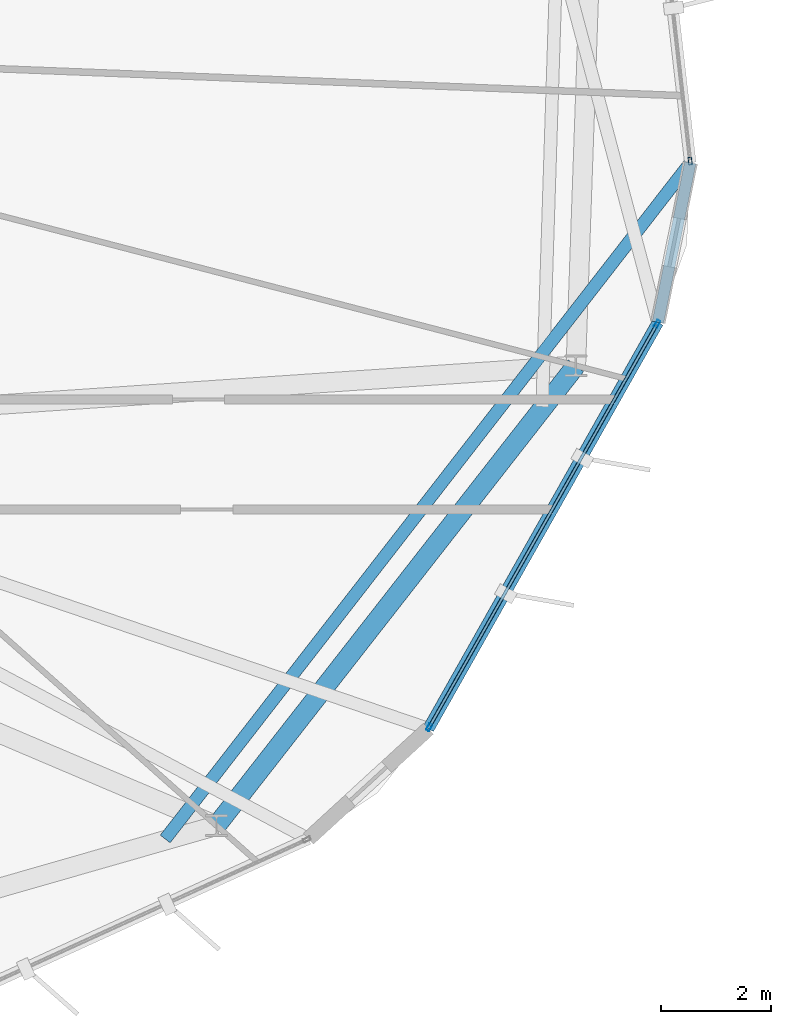
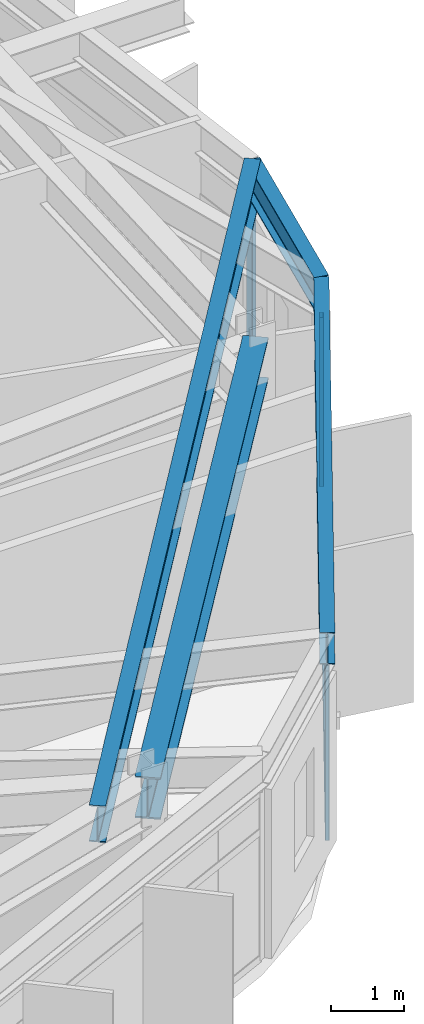
# One storey, part 10 of 23: 6 members, 4 beams, 2 elements without a shape of their own.
"""IFC4 building model written with IfcOpenShell, lengths in metres."""

from ifc_helpers import new_model, si_unit, direction, frame, origin, origin_2d, place, context, subcontext, project, spatial, hollow_rectangle, i_section, extrude, material, layer, layer_set, material_profile, profile_set, type_object, element, aggregate, save


model = new_model("IFC4")

# Units and contexts
model_context = context("Model", 3, precision=1e-05, world=origin(), true_north=direction((0.0, 1.0)))
body_context = subcontext(model_context, "Body", "Model", "MODEL_VIEW")
ifc_project = project(units=[si_unit("LENGTHUNIT", "METRE"), si_unit("AREAUNIT", "SQUARE_METRE"), si_unit("VOLUMEUNIT", "CUBIC_METRE"), si_unit("PLANEANGLEUNIT", "RADIAN"), si_unit("MASSUNIT", "GRAM", prefix="KILO")], contexts=[model_context])

# Site, building, storey
site_placement = place(None, origin())
site = spatial("IfcSite", under=ifc_project, at=site_placement, CompositionType="ELEMENT")
building_placement = place(site_placement, origin())
building = spatial("IfcBuilding", under=site, at=building_placement, Name="Soratama Intermodal Tower", CompositionType="ELEMENT")
storey_placement = place(building_placement, frame((0.0, 0.0, 261.25)))
storey = spatial("IfcBuildingStorey", under=building, at=storey_placement, Name="L66", CompositionType="ELEMENT", Elevation=261.25)

# Beams
ifc_material_1 = material(Name="Structural steel ASTM A992 Grade 50", Category="steel")
ifc_material_profile_1 = material_profile(ifc_material_1, i_section(OverallWidth=0.35498046875, OverallDepth=0.695068359375, WebThickness=0.015380859375, FlangeThickness=0.02490234375, FilletRadius=0.01611328125, at=origin_2d()), Name="W27X146")
ifc_profile_set_1 = profile_set([ifc_material_profile_1], Name="Structural steel ASTM A992 Grade 50")
beam_type_1 = type_object("IfcBeamType", Name="BM-RING-W27X146", PredefinedType="BEAM", material=ifc_profile_set_1)
beam_1_placement = place(storey_placement, frame((54.617919921875, 10.740966796875, 3.1025390625), z_axis=(0.6157278291, 0.787958907858, 0.0), x_axis=(-0.787958907858, 0.6157278291, 0.0)))
element("IfcBeam", 1, at=beam_1_placement, inside=storey, type_object=beam_type_1, Name="BM-L66-RING-09", PredefinedType="BEAM", context=body_context, shape_type="SweptSolid", body=[
    extrude(i_section(OverallWidth=0.35498046875, OverallDepth=0.695068359375, WebThickness=0.015380859375, FlangeThickness=0.02490234375, FilletRadius=0.01611328125, at=origin_2d()), origin(), (0.0, 0.0, 1.0), 10.6298828125),
])
ifc_material_2 = material(Name="Structural steel ASTM A992 Grade 50", Category="steel")
ifc_material_profile_2 = material_profile(ifc_material_2, i_section(OverallWidth=0.2099609375, OverallDepth=0.537109375, WebThickness=0.010986328125, FlangeThickness=0.017333984375, FilletRadius=0.012939453125, at=origin_2d()), Name="W21X68")
ifc_profile_set_2 = profile_set([ifc_material_profile_2], Name="Structural steel ASTM A992 Grade 50")
beam_type_2 = type_object("IfcBeamType", Name="BM-SPN-W21X68", PredefinedType="SPANDREL", material=ifc_profile_set_2)
beam_2_placement = place(storey_placement, frame((58.47802734375, 12.506103515625, 3.181396484375), z_axis=(0.491774234703, 0.870722746965, 0.0), x_axis=(-0.870722746965, 0.491774234703, 0.0)))
element("IfcBeam", 2, at=beam_2_placement, inside=storey, type_object=beam_type_2, Name="BS-L66-F08", PredefinedType="SPANDREL", context=body_context, shape_type="SweptSolid", body=[
    extrude(i_section(OverallWidth=0.2099609375, OverallDepth=0.537109375, WebThickness=0.010986328125, FlangeThickness=0.017333984375, FilletRadius=0.012939453125, at=origin_2d()), origin(), (0.0, 0.0, 1.0), 8.499755859375),
])
beam_3_placement = place(storey_placement, frame((62.657958984375, 19.906982421875, 3.181396484375), z_axis=(0.198932710721, 0.980013151241, 0.0), x_axis=(-0.980013151241, 0.198932710721, 0.0)))
element("IfcBeam", 3, at=beam_3_placement, inside=storey, type_object=beam_type_2, Name="BS-L66-CRN08", PredefinedType="SPANDREL", context=body_context, shape_type="SweptSolid", body=[
    extrude(i_section(OverallWidth=0.2099609375, OverallDepth=0.537109375, WebThickness=0.010986328125, FlangeThickness=0.017333984375, FilletRadius=0.012939453125, at=origin_2d()), origin(), (0.0, 0.0, 1.0), 2.96630859375),
])
ifc_material_3 = material(Name="Structural steel ASTM A992 Grade 50", Category="steel")
ifc_material_profile_3 = material_profile(ifc_material_3, i_section(OverallWidth=0.22900390625, OverallDepth=0.612060546875, WebThickness=0.011962890625, FlangeThickness=0.01953125, FilletRadius=0.012939453125, at=origin_2d()), Name="W24X84")
ifc_profile_set_3 = profile_set([ifc_material_profile_3], Name="Structural steel ASTM A992 Grade 50")
beam_type_3 = type_object("IfcBeamType", Name="BM-TIE-W24X84", PredefinedType="BEAM", material=ifc_profile_set_3)
beam_4_placement = place(storey_placement, frame((53.68310546875, 10.4970703125, 3.14404296875), z_axis=(0.613346498666, 0.789813948075, 0.0), x_axis=(-0.789813948075, 0.613346498666, 0.0)))
element("IfcBeam", 4, at=beam_4_placement, inside=storey, type_object=beam_type_3, Name="BM-L66-TIE0-09", PredefinedType="BEAM", context=body_context, shape_type="SweptSolid", body=[
    extrude(i_section(OverallWidth=0.22900390625, OverallDepth=0.612060546875, WebThickness=0.011962890625, FlangeThickness=0.01953125, FilletRadius=0.012939453125, at=origin_2d()), origin(), (0.0, 0.0, 1.0), 15.5947265625),
])

# Curtain wall, members
ifc_material_4 = material(Name="Double-glazed aluminium curtain wall", Category="aluminium")
ifc_layer = layer(ifc_material_4, 0.159912109375)
ifc_layer_set = layer_set([ifc_layer], Name="Double-glazed aluminium curtain wall")
curtain_wall_type = type_object("IfcCurtainWallType", Name="CW-SYS-5", PredefinedType="NOTDEFINED", material=ifc_layer_set)
curtain_wall_1_placement = place(storey_placement, origin())
curtain_wall_1 = element("IfcCurtainWall", 5, at=curtain_wall_1_placement, inside=storey, type_object=curtain_wall_type, Name="L66 Faceted Curtain Wall F08", PredefinedType="NOTDEFINED")
ifc_material_5 = material(Name="Anodised aluminium AA 6063-T6", Category="aluminium")
ifc_material_profile_4 = material_profile(ifc_material_5, hollow_rectangle(XDim=0.06494140625, YDim=0.139892578125, WallThickness=0.0048828125, InnerFilletRadius=0.0048828125, OuterFilletRadius=0.010009765625, at=origin_2d()), Name="CWM140X65X5")
ifc_profile_set_4 = profile_set([ifc_material_profile_4], Name="Anodised aluminium AA 6063-T6")
member_type_1 = type_object("IfcMemberType", Name="MT-CWM-5", PredefinedType="MULLION", material=ifc_profile_set_4)
member_1_placement = place(storey_placement, frame((58.49267578125, 12.5322265625, 0.0), z_axis=(0.0, 0.0, 1.0), x_axis=(-0.870696906053, 0.491819985146, 0.0)))
member_1 = element("IfcMember", 6, at=member_1_placement, type_object=member_type_1, Name="CW-5 mullion 1", PredefinedType="MULLION", context=body_context, shape_type="SweptSolid", body=[
    extrude(hollow_rectangle(XDim=0.06494140625, YDim=0.139892578125, WallThickness=0.0048828125, InnerFilletRadius=0.0048828125, OuterFilletRadius=0.010009765625, at=origin_2d()), origin(), (0.0, 0.0, 1.0), 2.8291015625),
])
member_2_placement = place(storey_placement, frame((62.6435546875, 19.880615234375, 0.0), z_axis=(0.0, 0.0, 1.0), x_axis=(-0.870696906053, 0.491819985146, 0.0)))
member_2 = element("IfcMember", 7, at=member_2_placement, type_object=member_type_1, Name="CW-5 mullion 2", PredefinedType="MULLION", context=body_context, shape_type="SweptSolid", body=[
    extrude(hollow_rectangle(XDim=0.06494140625, YDim=0.139892578125, WallThickness=0.0048828125, InnerFilletRadius=0.0048828125, OuterFilletRadius=0.010009765625, at=origin_2d()), origin(), (0.0, 0.0, 1.0), 2.8291015625),
])

# Curtain wall, member
curtain_wall_2_placement = place(storey_placement, origin())
curtain_wall_2 = element("IfcCurtainWall", 8, at=curtain_wall_2_placement, inside=storey, type_object=curtain_wall_type, Name="L66 Faceted Curtain Wall F09", PredefinedType="NOTDEFINED")
member_3_placement = place(storey_placement, frame((63.244140625, 22.843994140625, 0.0), z_axis=(0.0, 0.0, 1.0), x_axis=(-0.993492604414, -0.113896641634, 0.0)))
member_3 = element("IfcMember", 9, at=member_3_placement, type_object=member_type_1, Name="CW-5 mullion 1", PredefinedType="MULLION", context=body_context, shape_type="SweptSolid", body=[
    extrude(hollow_rectangle(XDim=0.06494140625, YDim=0.139892578125, WallThickness=0.0048828125, InnerFilletRadius=0.0048828125, OuterFilletRadius=0.010009765625, at=origin_2d()), origin(), (0.0, 0.0, 1.0), 2.8291015625),
])
aggregate(curtain_wall_2, [member_3])

# Member
ifc_material_6 = material(Name="Anodised aluminium AA 6063-T6", Category="aluminium")
ifc_material_profile_5 = material_profile(ifc_material_6, hollow_rectangle(XDim=0.06005859375, YDim=0.1298828125, WallThickness=0.0048828125, InnerFilletRadius=0.0048828125, OuterFilletRadius=0.010009765625, at=origin_2d()), Name="CWT130X60X5")
ifc_profile_set_5 = profile_set([ifc_material_profile_5], Name="Anodised aluminium AA 6063-T6")
member_type_2 = type_object("IfcMemberType", Name="TT-CWT-2", PredefinedType="USERDEFINED", material=ifc_profile_set_5)
member_4_placement = place(storey_placement, frame((58.50732421875, 12.558349609375, 0.030029296875), z_axis=(0.491824911906, 0.870694123116, 0.0), x_axis=(-0.870694123116, 0.491824911906, 0.0)))
member_4 = element("IfcMember", 10, at=member_4_placement, type_object=member_type_2, Name="CW-5 transom 1.1", ObjectType="TRANSOM", PredefinedType="USERDEFINED", context=body_context, shape_type="SweptSolid", body=[
    extrude(hollow_rectangle(XDim=0.06005859375, YDim=0.1298828125, WallThickness=0.0048828125, InnerFilletRadius=0.0048828125, OuterFilletRadius=0.010009765625, at=origin_2d()), origin(), (0.0, 0.0, 1.0), 8.379638671875),
])

member_5_placement = place(storey_placement, frame((58.50732421875, 12.558349609375, 2.14990234375), z_axis=(0.491824911906, 0.870694123116, 0.0), x_axis=(-0.870694123116, 0.491824911906, 0.0)))
member_5 = element("IfcMember", 11, at=member_5_placement, type_object=member_type_2, Name="CW-5 transom 1.2", ObjectType="TRANSOM", PredefinedType="USERDEFINED", context=body_context, shape_type="SweptSolid", body=[
    extrude(hollow_rectangle(XDim=0.06005859375, YDim=0.1298828125, WallThickness=0.0048828125, InnerFilletRadius=0.0048828125, OuterFilletRadius=0.010009765625, at=origin_2d()), origin(), (0.0, 0.0, 1.0), 8.379638671875),
])

member_6_placement = place(storey_placement, frame((58.50732421875, 12.558349609375, 2.799072265625), z_axis=(0.491824911906, 0.870694123116, 0.0), x_axis=(-0.870694123116, 0.491824911906, 0.0)))
member_6 = element("IfcMember", 12, at=member_6_placement, type_object=member_type_2, Name="CW-5 transom 1.3", ObjectType="TRANSOM", PredefinedType="USERDEFINED", context=body_context, shape_type="SweptSolid", body=[
    extrude(hollow_rectangle(XDim=0.06005859375, YDim=0.1298828125, WallThickness=0.0048828125, InnerFilletRadius=0.0048828125, OuterFilletRadius=0.010009765625, at=origin_2d()), origin(), (0.0, 0.0, 1.0), 8.379638671875),
])

aggregate(curtain_wall_1, [member_1, member_2, member_4, member_5, member_6])

save(model, "model.ifc")
